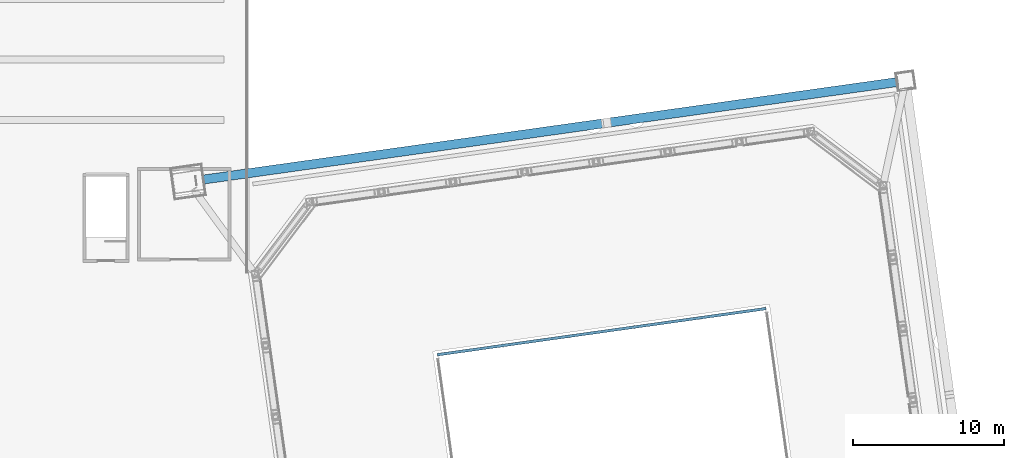
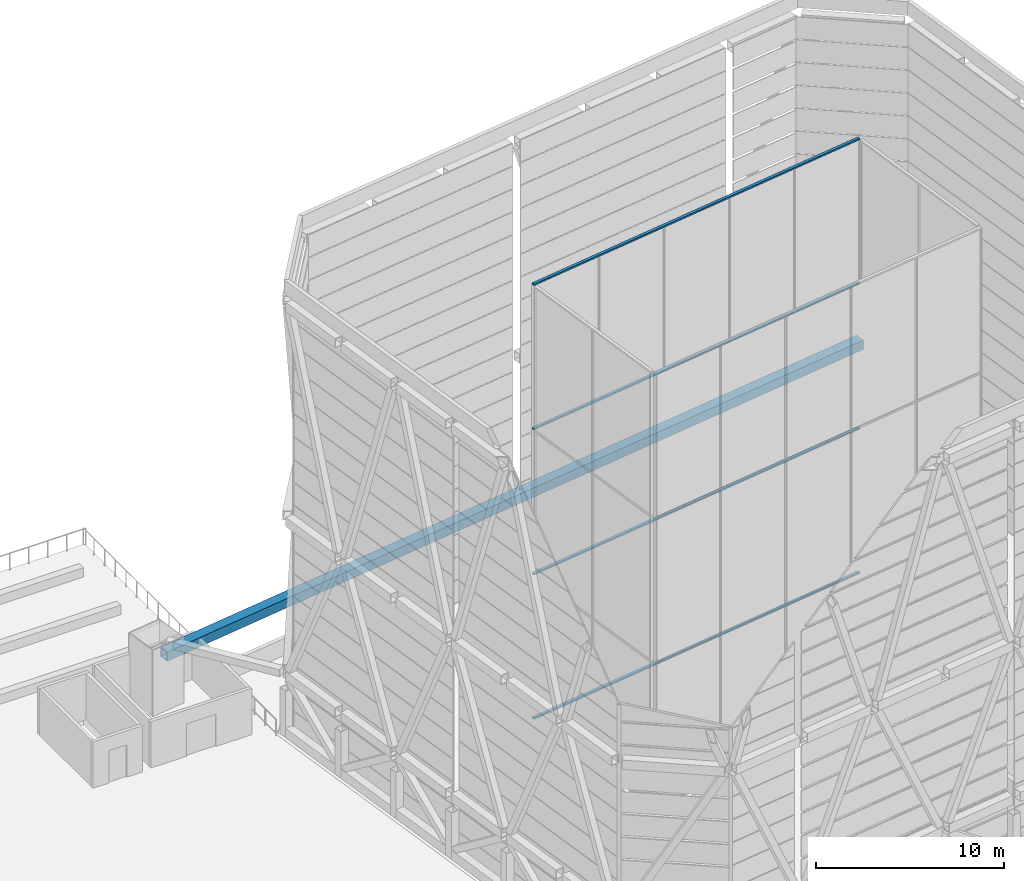
# One storey, part 16 of 45: 5 members, 1 element without a shape of its own.
"""IFC4 building model written with IfcOpenShell, lengths in metres."""

from ifc_helpers import new_model, si_unit, direction, frame, origin, origin_2d, place, context, subcontext, project, spatial, rectangle, hollow_rectangle, extrude, material, material_profile, profile_set, type_object, element, aggregate, save


model = new_model("IFC4")

# Units and contexts
model_context = context("Model", 3, precision=1e-05, world=origin(), true_north=direction((0.0, 1.0)))
body_context = subcontext(model_context, "Body", "Model", "MODEL_VIEW")
ifc_project = project(units=[si_unit("LENGTHUNIT", "METRE"), si_unit("AREAUNIT", "SQUARE_METRE"), si_unit("VOLUMEUNIT", "CUBIC_METRE"), si_unit("PLANEANGLEUNIT", "RADIAN"), si_unit("MASSUNIT", "GRAM", prefix="KILO")], contexts=[model_context])

# Site, building, storey
site_placement = place(None, origin())
site = spatial("IfcSite", under=ifc_project, at=site_placement, CompositionType="ELEMENT")
building_placement = place(site_placement, origin())
building = spatial("IfcBuilding", under=site, at=building_placement, Name="Mirante Cascada Hotel Towers", CompositionType="ELEMENT")
storey_placement = place(building_placement, frame((0.0, 0.0, 269.8)))
storey = spatial("IfcBuildingStorey", under=building, at=storey_placement, Name="Roof garden", CompositionType="ELEMENT", Elevation=269.8)

# Member
ifc_material_1 = material(Name="Steel ASTM A572 Gr 50", Category="steel")
ifc_material_profile_1 = material_profile(ifc_material_1, hollow_rectangle(XDim=0.6, YDim=0.6, WallThickness=0.04, at=origin_2d()), Name="Box chord 600x600x40 ASTM A572 Gr 50")
ifc_profile_set_1 = profile_set([ifc_material_profile_1], Name="Steel ASTM A572 Gr 50")
member_type_1 = type_object("IfcMemberType", Name="Box chord 600x600x40 ASTM A572 Gr 50", PredefinedType="CHORD", material=ifc_profile_set_1)
member_1_placement = place(storey_placement, frame((8.7871, 16.2251, 2.8), z_axis=(0.990268, 0.1391734, 0.0), x_axis=(-0.1391734, 0.990268, 0.0)))
element("IfcMember", 1, at=member_1_placement, inside=storey, type_object=member_type_1, Name="exochord T2 Roof garden 1", PredefinedType="CHORD", context=body_context, shape_type="SweptSolid", body=[
    extrude(hollow_rectangle(XDim=0.6, YDim=0.6, WallThickness=0.04, at=origin_2d()), origin(), (0.0, 0.0, 1.0), 46.94),
])

# Curtain wall, members
ifc_material_2 = material(Name="Aluminium mullion and transom frame with clear laminated glass", Category="aluminium")
curtain_wall_type = type_object("IfcCurtainWallType", Name="Atrium rooflight wall ECW6", PredefinedType="NOTDEFINED", material=ifc_material_2)
curtain_wall_placement = place(storey_placement, origin())
curtain_wall = element("IfcCurtainWall", 2, at=curtain_wall_placement, inside=storey, type_object=curtain_wall_type, Name="Atrium rooflight wall T2 long front", PredefinedType="NOTDEFINED")
ifc_material_3 = material(Name="Anodised aluminium extrusion", Category="aluminium")
ifc_material_profile_2 = material_profile(ifc_material_3, rectangle(XDim=0.18, YDim=0.1, at=origin_2d()), Name="ECW6 TRANSOM 100x180")
ifc_profile_set_2 = profile_set([ifc_material_profile_2], Name="Anodised aluminium extrusion")
member_type_2 = type_object("IfcMemberType", Name="ECW6 transom 100x180", PredefinedType="USERDEFINED", material=ifc_profile_set_2)
member_2_placement = place(storey_placement, frame((46.5543, 7.7488, 0.05), z_axis=(-0.9902681, -0.1391727, 0.0), x_axis=(0.1391727, -0.9902681, 0.0)))
member_2 = element("IfcMember", 3, at=member_2_placement, type_object=member_type_2, Name="ECW6 sill transom", ObjectType="TRANSOM", PredefinedType="USERDEFINED", context=body_context, shape_type="SweptSolid", body=[
    extrude(rectangle(XDim=0.18, YDim=0.1, at=origin_2d()), origin(), (0.0, 0.0, 1.0), 22.0),
])
member_3_placement = place(storey_placement, frame((46.5543, 7.7488, 9.4167), z_axis=(-0.9902681, -0.1391727, 0.0), x_axis=(0.1391727, -0.9902681, 0.0)))
member_3 = element("IfcMember", 4, at=member_3_placement, type_object=member_type_2, Name="ECW6 intermediate transom", ObjectType="TRANSOM", PredefinedType="USERDEFINED", context=body_context, shape_type="SweptSolid", body=[
    extrude(rectangle(XDim=0.18, YDim=0.1, at=origin_2d()), origin(), (0.0, 0.0, 1.0), 22.0),
])
member_4_placement = place(storey_placement, frame((46.5543, 7.7488, 18.8333), z_axis=(-0.9902681, -0.1391727, 0.0), x_axis=(0.1391727, -0.9902681, 0.0)))
member_4 = element("IfcMember", 5, at=member_4_placement, type_object=member_type_2, Name="ECW6 intermediate transom", ObjectType="TRANSOM", PredefinedType="USERDEFINED", context=body_context, shape_type="SweptSolid", body=[
    extrude(rectangle(XDim=0.18, YDim=0.1, at=origin_2d()), origin(), (0.0, 0.0, 1.0), 22.0),
])
member_5_placement = place(storey_placement, frame((46.5543, 7.7488, 28.2), z_axis=(-0.9902681, -0.1391727, 0.0), x_axis=(0.1391727, -0.9902681, 0.0)))
member_5 = element("IfcMember", 6, at=member_5_placement, type_object=member_type_2, Name="ECW6 head transom", ObjectType="TRANSOM", PredefinedType="USERDEFINED", context=body_context, shape_type="SweptSolid", body=[
    extrude(rectangle(XDim=0.18, YDim=0.1, at=origin_2d()), origin(), (0.0, 0.0, 1.0), 22.0),
])
aggregate(curtain_wall, [member_2, member_3, member_4, member_5])

save(model, "model.ifc")
